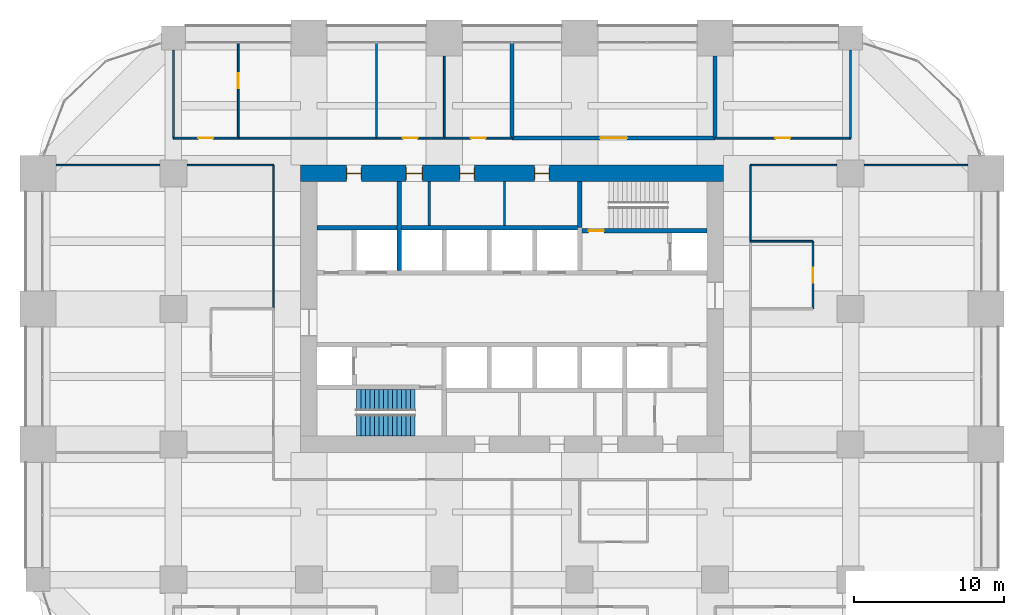
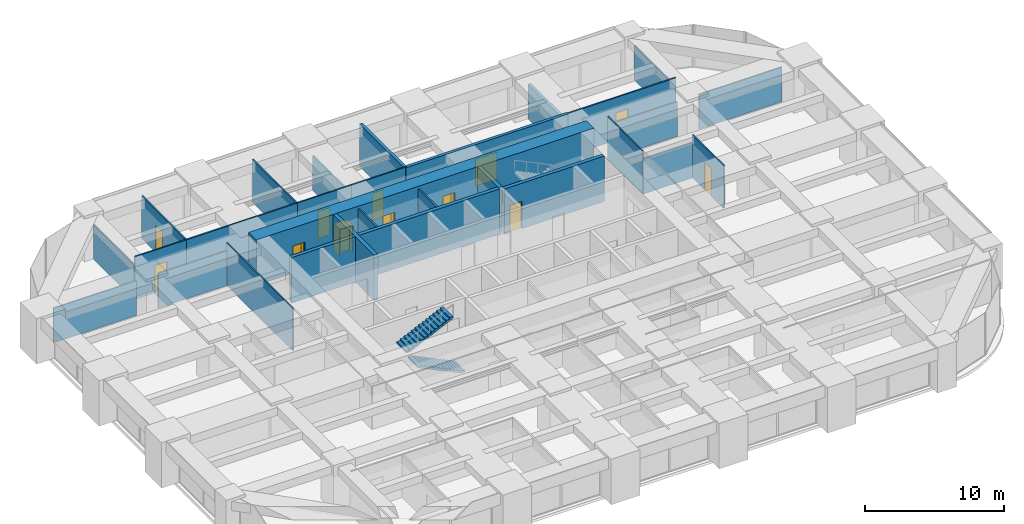
# One storey, part 40 of 42: 28 walls, 12 doors, 2 stair flights, 12 openings, 1 element without a shape of its own.
"""IFC4 building model written with IfcOpenShell, lengths in metres."""

from ifc_helpers import new_model, si_unit, direction, frame, frame_2d, origin, place, context, subcontext, project, spatial, polyline, rectangle, outline, extrude, material, layer, layer_set, type_object, element, fill, aggregate, save


model = new_model("IFC4")

# Units and contexts
model_context = context("Model", 3, precision=1e-05, world=origin(), true_north=direction((0.0, 1.0)))
body_context = subcontext(model_context, "Body", "Model", "MODEL_VIEW")
ifc_project = project(units=[si_unit("LENGTHUNIT", "METRE"), si_unit("AREAUNIT", "SQUARE_METRE"), si_unit("VOLUMEUNIT", "CUBIC_METRE"), si_unit("PLANEANGLEUNIT", "RADIAN"), si_unit("MASSUNIT", "GRAM", prefix="KILO")], contexts=[model_context])

# Site, building, storey
site_placement = place(None, origin())
site = spatial("IfcSite", under=ifc_project, at=site_placement, CompositionType="ELEMENT")
building_placement = place(site_placement, origin())
building = spatial("IfcBuilding", under=site, at=building_placement, Name="Zorevar Civic Tower", CompositionType="ELEMENT")
storey_placement = place(building_placement, frame((0.0, 0.0, 149.0)))
storey = spatial("IfcBuildingStorey", under=building, at=storey_placement, Name="L36", CompositionType="ELEMENT", Elevation=149.0)

# Wall, opening, door
ifc_material_1 = material(Name="Twin-stud acoustic wall, gypsum board")
ifc_layer_1 = layer(ifc_material_1, 0.25)
ifc_layer_set_1 = layer_set([ifc_layer_1], Name="Acoustic wall 250")
wall_type_1 = type_object("IfcWallType", Name="Acoustic wall 250", PredefinedType="PARTITIONING", material=ifc_layer_set_1)
wall_1_placement = place(storey_placement, frame((31.5, 38.35009765625, 0.0), z_axis=(0.0, 0.0, 1.0), x_axis=(1.0, 0.0, 0.0)))
wall_1 = element("IfcWall", 1, at=wall_1_placement, inside=storey, type_object=wall_type_1, Name="Acoustic wall 250 L36", PredefinedType="PARTITIONING", context=body_context, shape_type="SweptSolid", body=[
    extrude(rectangle(XDim=13.5, YDim=0.25, at=frame_2d((6.75, 0.0))), origin(), (0.0, 0.0, 1.0), 3.75),
])
opening_1_placement = place(wall_1_placement, frame((5.85009765625, 0.0, 0.0)))
opening_1 = element("IfcOpeningElement", 2, at=opening_1_placement, cuts=wall_1, Name="Opening L36.24", PredefinedType="OPENING", context=body_context, shape_type="SweptSolid", body=[
    extrude(rectangle(XDim=1.800048828125, YDim=2.39990234375, at=frame_2d((0.89990234375, 1.199951171875))), frame((0.0, 0.135009765625, 0.0), z_axis=(0.0, -1.0, 0.0), x_axis=(1.0, 0.0, 0.0)), (0.0, 0.0, 1.0), 0.27001953125),
])
ifc_material_2 = material(Name="Steel door set", Category="steel")
door_type_1 = type_object("IfcDoorType", Name="Door D2 1800x2400", OperationType="DOUBLE_DOOR_SINGLE_SWING", PredefinedType="DOOR", material=ifc_material_2)
door_1_placement = place(opening_1_placement, origin())
door_1 = element("IfcDoor", 3, at=door_1_placement, inside=storey, type_object=door_type_1, Name="Door L36 D1", OperationType="DOUBLE_DOOR_SINGLE_SWING", OverallHeight=2.39990234375, OverallWidth=1.800048828125, PredefinedType="DOOR", context=body_context, shape_type="SweptSolid", body=[
    extrude(rectangle(XDim=1.800048828125, YDim=2.39990234375, at=frame_2d((0.89990234375, 1.199951171875))), frame((0.0, 0.02490234375, 0.0), z_axis=(0.0, -1.0, 0.0), x_axis=(1.0, 0.0, 0.0)), (0.0, 0.0, 1.0), 0.050048828125),
])
fill(opening_1, door_1)

# Walls
wall_2_placement = place(storey_placement, frame((31.5, 38.35009765625, 0.0), z_axis=(0.0, 0.0, 1.0), x_axis=(0.0, 1.0, 0.0)))
element("IfcWall", 4, at=wall_2_placement, inside=storey, type_object=wall_type_1, Name="Acoustic wall 250 L36", PredefinedType="PARTITIONING", context=body_context, shape_type="SweptSolid", body=[
    extrude(rectangle(XDim=6.33984375, YDim=0.25, at=frame_2d((3.169921875, 0.0))), origin(), (0.0, 0.0, 1.0), 3.75),
])
wall_3_placement = place(storey_placement, frame((45.0, 38.35009765625, 0.0), z_axis=(0.0, 0.0, 1.0), x_axis=(0.0, 1.0, 0.0)))
element("IfcWall", 5, at=wall_3_placement, inside=storey, type_object=wall_type_1, Name="Acoustic wall 250 L36", PredefinedType="PARTITIONING", context=body_context, shape_type="SweptSolid", body=[
    extrude(rectangle(XDim=5.449951171875, YDim=0.25, at=frame_2d((2.72509765625, 0.0))), origin(), (0.0, 0.0, 1.0), 3.050048828125),
])

# Wall, openings, doors
ifc_material_3 = material(Name="Concrete C50/60", Category="concrete")
ifc_layer_2 = layer(ifc_material_3, 1.10009765625)
ifc_layer_set_2 = layer_set([ifc_layer_2], Name="Core wall 1100")
wall_type_2 = type_object("IfcWallType", Name="Core wall 1100", PredefinedType="SHEAR", material=ifc_layer_set_2)
wall_4_placement = place(storey_placement, frame((45.550048828125, 36.0, 0.0), z_axis=(0.0, 0.0, 1.0), x_axis=(-1.0, 0.0, 0.0)))
wall_4 = element("IfcWall", 6, at=wall_4_placement, inside=storey, type_object=wall_type_2, Name="Core wall N L36", PredefinedType="SHEAR", context=body_context, shape_type="SweptSolid", body=[
    extrude(rectangle(XDim=28.10009765625, YDim=1.10009765625, at=frame_2d((14.050048828125, 0.0))), origin(), (0.0, 0.0, 1.0), 4.0),
])
opening_2_placement = place(wall_4_placement, frame((11.550048828125, 0.0, 0.0)))
opening_2 = element("IfcOpeningElement", 7, at=opening_2_placement, cuts=wall_4, Name="Opening L36.07", PredefinedType="OPENING", context=body_context, shape_type="SweptSolid", body=[
    extrude(rectangle(XDim=1.0, YDim=2.39990234375, at=frame_2d((0.5, 1.199951171875))), frame((0.0, 0.56005859375, 0.0), z_axis=(0.0, -1.0, 0.0), x_axis=(1.0, 0.0, 0.0)), (0.0, 0.0, 1.0), 1.1201171875),
])
opening_3_placement = place(wall_4_placement, frame((16.550048828125, 0.0, 0.0)))
opening_3 = element("IfcOpeningElement", 8, at=opening_3_placement, cuts=wall_4, Name="Opening L36.08", PredefinedType="OPENING", context=body_context, shape_type="SweptSolid", body=[
    extrude(rectangle(XDim=1.0, YDim=2.39990234375, at=frame_2d((0.5, 1.199951171875))), frame((0.0, 0.56005859375, 0.0), z_axis=(0.0, -1.0, 0.0), x_axis=(1.0, 0.0, 0.0)), (0.0, 0.0, 1.0), 1.1201171875),
])
opening_4_placement = place(wall_4_placement, frame((20.0, 0.0, 0.0)))
opening_4 = element("IfcOpeningElement", 9, at=opening_4_placement, cuts=wall_4, Name="Opening L36.09", PredefinedType="OPENING", context=body_context, shape_type="SweptSolid", body=[
    extrude(rectangle(XDim=1.10009765625, YDim=2.39990234375, at=frame_2d((0.550048828125, 1.199951171875))), frame((0.0, 0.56005859375, 0.0), z_axis=(0.0, -1.0, 0.0), x_axis=(1.0, 0.0, 0.0)), (0.0, 0.0, 1.0), 1.1201171875),
])
opening_5_placement = place(wall_4_placement, frame((24.050048828125, 0.0, 0.0)))
opening_5 = element("IfcOpeningElement", 10, at=opening_5_placement, cuts=wall_4, Name="Opening L36.10", PredefinedType="OPENING", context=body_context, shape_type="SweptSolid", body=[
    extrude(rectangle(XDim=1.0, YDim=2.39990234375, at=frame_2d((0.5, 1.199951171875))), frame((0.0, 0.56005859375, 0.0), z_axis=(0.0, -1.0, 0.0), x_axis=(1.0, 0.0, 0.0)), (0.0, 0.0, 1.0), 1.1201171875),
])
ifc_material_4 = material(Name="Timber door set", Category="wood")
door_type_2 = type_object("IfcDoorType", Name="Door D1 1000x2400", OperationType="SINGLE_SWING_LEFT", PredefinedType="DOOR", material=ifc_material_4)
door_2_placement = place(opening_2_placement, origin())
door_2 = element("IfcDoor", 11, at=door_2_placement, inside=storey, type_object=door_type_2, Name="Door L36 06", OperationType="SINGLE_SWING_LEFT", OverallHeight=2.39990234375, OverallWidth=1.0, PredefinedType="DOOR", context=body_context, shape_type="SweptSolid", body=[
    extrude(rectangle(XDim=1.0, YDim=2.39990234375, at=frame_2d((0.5, 1.199951171875))), frame((0.0, 0.02490234375, 0.0), z_axis=(0.0, -1.0, 0.0), x_axis=(1.0, 0.0, 0.0)), (0.0, 0.0, 1.0), 0.050048828125),
    extrude(rectangle(XDim=0.04, YDim=2.39990234375, at=frame_2d((0.02001953125, 1.199951171875))), frame((0.0, 0.39990234375, 0.0), z_axis=(0.0, -1.0, 0.0), x_axis=(1.0, 0.0, 0.0)), (0.0, 0.0, 1.0), 0.800048828125),
    extrude(rectangle(XDim=0.04, YDim=2.39990234375, at=frame_2d((0.97998046875, 1.199951171875))), frame((0.0, 0.39990234375, 0.0), z_axis=(0.0, -1.0, 0.0), x_axis=(1.0, 0.0, 0.0)), (0.0, 0.0, 1.0), 0.800048828125),
    extrude(rectangle(XDim=1.0, YDim=0.04, at=frame_2d((0.5, 2.3798828125))), frame((0.0, 0.39990234375, 0.0), z_axis=(0.0, -1.0, 0.0), x_axis=(1.0, 0.0, 0.0)), (0.0, 0.0, 1.0), 0.800048828125),
])
fill(opening_2, door_2)
door_3_placement = place(opening_3_placement, origin())
door_3 = element("IfcDoor", 12, at=door_3_placement, inside=storey, type_object=door_type_2, Name="Door L36 07", OperationType="SINGLE_SWING_RIGHT", OverallHeight=2.39990234375, OverallWidth=1.0, PredefinedType="DOOR", context=body_context, shape_type="SweptSolid", body=[
    extrude(rectangle(XDim=1.0, YDim=2.39990234375, at=frame_2d((0.5, 1.199951171875))), frame((0.0, 0.02490234375, 0.0), z_axis=(0.0, -1.0, 0.0), x_axis=(1.0, 0.0, 0.0)), (0.0, 0.0, 1.0), 0.050048828125),
    extrude(rectangle(XDim=0.04, YDim=2.39990234375, at=frame_2d((0.02001953125, 1.199951171875))), frame((0.0, 0.39990234375, 0.0), z_axis=(0.0, -1.0, 0.0), x_axis=(1.0, 0.0, 0.0)), (0.0, 0.0, 1.0), 0.800048828125),
    extrude(rectangle(XDim=0.04, YDim=2.39990234375, at=frame_2d((0.97998046875, 1.199951171875))), frame((0.0, 0.39990234375, 0.0), z_axis=(0.0, -1.0, 0.0), x_axis=(1.0, 0.0, 0.0)), (0.0, 0.0, 1.0), 0.800048828125),
    extrude(rectangle(XDim=1.0, YDim=0.04, at=frame_2d((0.5, 2.3798828125))), frame((0.0, 0.39990234375, 0.0), z_axis=(0.0, -1.0, 0.0), x_axis=(1.0, 0.0, 0.0)), (0.0, 0.0, 1.0), 0.800048828125),
])
fill(opening_3, door_3)
door_4_placement = place(opening_5_placement, origin())
door_4 = element("IfcDoor", 13, at=door_4_placement, inside=storey, type_object=door_type_2, Name="Door L36 09", OperationType="SINGLE_SWING_RIGHT", OverallHeight=2.39990234375, OverallWidth=1.0, PredefinedType="DOOR", context=body_context, shape_type="SweptSolid", body=[
    extrude(rectangle(XDim=1.0, YDim=2.39990234375, at=frame_2d((0.5, 1.199951171875))), frame((0.0, 0.02490234375, 0.0), z_axis=(0.0, -1.0, 0.0), x_axis=(1.0, 0.0, 0.0)), (0.0, 0.0, 1.0), 0.050048828125),
    extrude(rectangle(XDim=0.04, YDim=2.39990234375, at=frame_2d((0.02001953125, 1.199951171875))), frame((0.0, 0.39990234375, 0.0), z_axis=(0.0, -1.0, 0.0), x_axis=(1.0, 0.0, 0.0)), (0.0, 0.0, 1.0), 0.800048828125),
    extrude(rectangle(XDim=0.04, YDim=2.39990234375, at=frame_2d((0.97998046875, 1.199951171875))), frame((0.0, 0.39990234375, 0.0), z_axis=(0.0, -1.0, 0.0), x_axis=(1.0, 0.0, 0.0)), (0.0, 0.0, 1.0), 0.800048828125),
    extrude(rectangle(XDim=1.0, YDim=0.04, at=frame_2d((0.5, 2.3798828125))), frame((0.0, 0.39990234375, 0.0), z_axis=(0.0, -1.0, 0.0), x_axis=(1.0, 0.0, 0.0)), (0.0, 0.0, 1.0), 0.800048828125),
])
fill(opening_5, door_4)
ifc_material_5 = material(Name="Timber door set", Category="wood")
door_type_3 = type_object("IfcDoorType", Name="Door D5 1100x2400", OperationType="SINGLE_SWING_LEFT", PredefinedType="DOOR", material=ifc_material_5)
door_5_placement = place(opening_4_placement, origin())
door_5 = element("IfcDoor", 14, at=door_5_placement, inside=storey, type_object=door_type_3, Name="Door L36 08", OperationType="SINGLE_SWING_RIGHT", OverallHeight=2.39990234375, OverallWidth=1.10009765625, PredefinedType="DOOR", context=body_context, shape_type="SweptSolid", body=[
    extrude(rectangle(XDim=1.10009765625, YDim=2.39990234375, at=frame_2d((0.550048828125, 1.199951171875))), frame((0.0, 0.02490234375, 0.0), z_axis=(0.0, -1.0, 0.0), x_axis=(1.0, 0.0, 0.0)), (0.0, 0.0, 1.0), 0.050048828125),
    extrude(rectangle(XDim=0.04, YDim=2.39990234375, at=frame_2d((0.02001953125, 1.199951171875))), frame((0.0, 0.43994140625, 0.0), z_axis=(0.0, -1.0, 0.0), x_axis=(1.0, 0.0, 0.0)), (0.0, 0.0, 1.0), 0.880126953125),
    extrude(rectangle(XDim=0.04, YDim=2.39990234375, at=frame_2d((1.080078125, 1.199951171875))), frame((0.0, 0.43994140625, 0.0), z_axis=(0.0, -1.0, 0.0), x_axis=(1.0, 0.0, 0.0)), (0.0, 0.0, 1.0), 0.880126953125),
    extrude(rectangle(XDim=1.10009765625, YDim=0.04, at=frame_2d((0.550048828125, 2.3798828125))), frame((0.0, 0.43994140625, 0.0), z_axis=(0.0, -1.0, 0.0), x_axis=(1.0, 0.0, 0.0)), (0.0, 0.0, 1.0), 0.880126953125),
])
fill(opening_4, door_5)

# Walls
ifc_material_6 = material(Name="Laminated glass in black aluminium frame", Category="aluminium")
ifc_layer_3 = layer(ifc_material_6, 0.10009765625)
ifc_layer_set_3 = layer_set([ifc_layer_3], Name="Glazed partition 100")
wall_type_3 = type_object("IfcWallType", Name="Glazed partition 100", PredefinedType="PARTITIONING", material=ifc_layer_set_3)
wall_5_placement = place(storey_placement, frame((1.199951171875, 36.550048828125, 0.0), z_axis=(0.0, 0.0, 1.0), x_axis=(1.0, 0.0, 0.0)))
element("IfcWall", 15, at=wall_5_placement, inside=storey, type_object=wall_type_3, Name="Glazed partition 100 L36", PredefinedType="PARTITIONING", context=body_context, shape_type="SweptSolid", body=[
    extrude(rectangle(XDim=6.900146484375, YDim=0.10009765625, at=frame_2d((3.4501953125, 0.0))), origin(), (0.0, 0.0, 1.0), 3.050048828125),
])
for number, where, z_axis, x_axis, name in (
    (16, (9.89990234375, 36.550048828125, 0.0), (0.0, 0.0, 1.0), (1.0, 0.0, 0.0), "Glazed partition 100 L36"),
    (17, (47.35009765625, 36.550048828125, 0.0), (0.0, 0.0, 1.0), (1.0, 0.0, 0.0), "Glazed partition 100 L36"),
):
    element("IfcWall", number, at=place(storey_placement, frame(where, z_axis=z_axis, x_axis=x_axis)), inside=storey, type_object=wall_type_3, Name=name, PredefinedType="PARTITIONING", context=body_context, shape_type="SweptSolid", body=[
        extrude(rectangle(XDim=5.75, YDim=0.10009765625, at=frame_2d((2.875, 0.0))), origin(), (0.0, 0.0, 1.0), 3.050048828125),
    ])
wall_6_placement = place(storey_placement, frame((54.89990234375, 36.550048828125, 0.0), z_axis=(0.0, 0.0, 1.0), x_axis=(1.0, 0.0, 0.0)))
element("IfcWall", 18, at=wall_6_placement, inside=storey, type_object=wall_type_3, Name="Glazed partition 100 L36", PredefinedType="PARTITIONING", context=body_context, shape_type="SweptSolid", body=[
    extrude(rectangle(XDim=6.900146484375, YDim=0.10009765625, at=frame_2d((3.4501953125, 0.0))), origin(), (0.0, 0.0, 1.0), 3.050048828125),
])
wall_7_placement = place(storey_placement, frame((15.64990234375, 27.0, 0.0), z_axis=(0.0, 0.0, 1.0), x_axis=(0.0, 1.0, 0.0)))
element("IfcWall", 19, at=wall_7_placement, inside=storey, type_object=wall_type_3, Name="Glazed partition 100 L36", PredefinedType="PARTITIONING", context=body_context, shape_type="SweptSolid", body=[
    extrude(rectangle(XDim=9.550048828125, YDim=0.10009765625, at=frame_2d((4.77490234375, 0.0))), origin(), (0.0, 0.0, 1.0), 3.75),
])
wall_8_placement = place(storey_placement, frame((47.35009765625, 31.5, 0.0), z_axis=(0.0, 0.0, 1.0), x_axis=(0.0, 1.0, 0.0)))
element("IfcWall", 20, at=wall_8_placement, inside=storey, type_object=wall_type_3, Name="Glazed partition 100 L36", PredefinedType="PARTITIONING", context=body_context, shape_type="SweptSolid", body=[
    extrude(rectangle(XDim=5.050048828125, YDim=0.10009765625, at=frame_2d((2.52490234375, 0.0))), origin(), (0.0, 0.0, 1.0), 3.75),
])

# Wall, opening, door
ifc_material_7 = material(Name="Concrete C40/50", Category="concrete")
ifc_layer_4 = layer(ifc_material_7, 0.300048828125)
ifc_layer_set_4 = layer_set([ifc_layer_4], Name="Inner core wall 300")
wall_type_4 = type_object("IfcWallType", Name="Inner core wall 300", PredefinedType="SHEAR", material=ifc_layer_set_4)
wall_9_placement = place(storey_placement, frame((36.14990234375, 32.199951171875, 0.0), z_axis=(0.0, 0.0, 1.0), x_axis=(1.0, 0.0, 0.0)))
wall_9 = element("IfcWall", 21, at=wall_9_placement, inside=storey, type_object=wall_type_4, Name="Inner core wall N00 L36", PredefinedType="SHEAR", context=body_context, shape_type="SweptSolid", body=[
    extrude(rectangle(XDim=8.300048828125, YDim=0.300048828125, at=frame_2d((4.14990234375, 0.0))), origin(), (0.0, 0.0, 1.0), 4.0),
])
opening_6_placement = place(wall_9_placement, frame((0.449951171875, 0.0, 0.0)))
opening_6 = element("IfcOpeningElement", 22, at=opening_6_placement, cuts=wall_9, Name="Opening L36.12", PredefinedType="OPENING", context=body_context, shape_type="SweptSolid", body=[
    extrude(rectangle(XDim=1.0, YDim=2.39990234375, at=frame_2d((0.5, 1.199951171875))), frame((0.0, 0.159912109375, 0.0), z_axis=(0.0, -1.0, 0.0), x_axis=(1.0, 0.0, 0.0)), (0.0, 0.0, 1.0), 0.320068359375),
])
ifc_material_8 = material(Name="Steel door set", Category="steel")
door_type_4 = type_object("IfcDoorType", Name="Fire door FD1 1000x2400", OperationType="SINGLE_SWING_LEFT", PredefinedType="DOOR", material=ifc_material_8)
door_6_placement = place(opening_6_placement, origin())
door_6 = element("IfcDoor", 23, at=door_6_placement, inside=storey, type_object=door_type_4, Name="Door L36 11", OperationType="SINGLE_SWING_RIGHT", OverallHeight=2.39990234375, OverallWidth=1.0, PredefinedType="DOOR", context=body_context, shape_type="SweptSolid", body=[
    extrude(rectangle(XDim=1.0, YDim=2.39990234375, at=frame_2d((0.5, 1.199951171875))), frame((0.0, 0.030029296875, 0.0), z_axis=(0.0, -1.0, 0.0), x_axis=(1.0, 0.0, 0.0)), (0.0, 0.0, 1.0), 0.06005859375),
])
fill(opening_6, door_6)

# Walls
wall_10_placement = place(storey_placement, frame((36.0, 32.39990234375, 0.0), z_axis=(0.0, 0.0, 1.0), x_axis=(0.0, 1.0, 0.0)))
element("IfcWall", 24, at=wall_10_placement, inside=storey, type_object=wall_type_4, Name="Inner core wall N01 L36", PredefinedType="SHEAR", context=body_context, shape_type="SweptSolid", body=[
    extrude(rectangle(XDim=3.050048828125, YDim=0.300048828125, at=frame_2d((1.52490234375, 0.0))), origin(), (0.0, 0.0, 1.0), 4.0),
])
wall_11_placement = place(storey_placement, frame((18.550048828125, 32.39990234375, 0.0), z_axis=(0.0, 0.0, 1.0), x_axis=(1.0, 0.0, 0.0)))
element("IfcWall", 25, at=wall_11_placement, inside=storey, type_object=wall_type_4, Name="Inner core wall N04 L36", PredefinedType="SHEAR", context=body_context, shape_type="SweptSolid", body=[
    extrude(rectangle(XDim=17.300048828125, YDim=0.300048828125, at=frame_2d((8.64990234375, 0.0))), origin(), (0.0, 0.0, 1.0), 4.0),
])
wall_12_placement = place(storey_placement, frame((24.0, 29.550048828125, 0.0), z_axis=(0.0, 0.0, 1.0), x_axis=(0.0, 1.0, 0.0)))
element("IfcWall", 26, at=wall_12_placement, inside=storey, type_object=wall_type_4, Name="Inner core wall N08 L36", PredefinedType="SHEAR", context=body_context, shape_type="SweptSolid", body=[
    extrude(rectangle(XDim=5.89990234375, YDim=0.300048828125, at=frame_2d((2.949951171875, 0.0))), origin(), (0.0, 0.0, 1.0), 4.0),
])
ifc_material_9 = material(Name="Gypsum board on steel studs", Category="steel")
ifc_layer_5 = layer(ifc_material_9, 0.1201171875)
ifc_layer_set_5 = layer_set([ifc_layer_5], Name="Partition 120")
wall_type_5 = type_object("IfcWallType", Name="Partition 120", PredefinedType="PARTITIONING", material=ifc_layer_set_5)
wall_13_placement = place(storey_placement, frame((47.35009765625, 31.5, 0.0), z_axis=(0.0, 0.0, 1.0), x_axis=(1.0, 0.0, 0.0)))
element("IfcWall", 27, at=wall_13_placement, inside=storey, type_object=wall_type_5, Name="Partition 120 L36", PredefinedType="PARTITIONING", context=body_context, shape_type="SweptSolid", body=[
    extrude(rectangle(XDim=4.14990234375, YDim=0.1201171875, at=frame_2d((2.074951171875, 0.0))), origin(), (0.0, 0.0, 1.0), 3.10009765625),
])

# Wall, opening, door
wall_14_placement = place(storey_placement, frame((9.0, 38.35009765625, 0.0), z_axis=(0.0, 0.0, 1.0), x_axis=(1.0, 0.0, 0.0)))
wall_14 = element("IfcWall", 28, at=wall_14_placement, inside=storey, type_object=wall_type_5, Name="Partition 120 L36", PredefinedType="PARTITIONING", context=body_context, shape_type="SweptSolid", body=[
    extrude(rectangle(XDim=4.300048828125, YDim=0.1201171875, at=frame_2d((2.14990234375, 0.0))), origin(), (0.0, 0.0, 1.0), 3.75),
])
opening_7_placement = place(wall_14_placement, frame((1.64990234375, 0.0, 0.0)))
opening_7 = element("IfcOpeningElement", 29, at=opening_7_placement, cuts=wall_14, Name="Opening L36.25", PredefinedType="OPENING", context=body_context, shape_type="SweptSolid", body=[
    extrude(rectangle(XDim=1.0, YDim=2.39990234375, at=frame_2d((0.5, 1.199951171875))), frame((0.0, 0.070068359375, 0.0), z_axis=(0.0, -1.0, 0.0), x_axis=(1.0, 0.0, 0.0)), (0.0, 0.0, 1.0), 0.14013671875),
])
door_7_placement = place(opening_7_placement, origin())
door_7 = element("IfcDoor", 30, at=door_7_placement, inside=storey, type_object=door_type_2, Name="Door L36 D1", OperationType="SINGLE_SWING_LEFT", OverallHeight=2.39990234375, OverallWidth=1.0, PredefinedType="DOOR", context=body_context, shape_type="SweptSolid", body=[
    extrude(rectangle(XDim=1.0, YDim=2.39990234375, at=frame_2d((0.5, 1.199951171875))), frame((0.0, 0.02490234375, 0.0), z_axis=(0.0, -1.0, 0.0), x_axis=(1.0, 0.0, 0.0)), (0.0, 0.0, 1.0), 0.050048828125),
])
fill(opening_7, door_7)

# Wall
wall_15_placement = place(storey_placement, frame((13.300048828125, 38.35009765625, 0.0), z_axis=(0.0, 0.0, 1.0), x_axis=(1.0, 0.0, 0.0)))
element("IfcWall", 31, at=wall_15_placement, inside=storey, type_object=wall_type_5, Name="Partition 120 L36", PredefinedType="PARTITIONING", context=body_context, shape_type="SweptSolid", body=[
    extrude(rectangle(XDim=9.199951171875, YDim=0.1201171875, at=frame_2d((4.60009765625, 0.0))), origin(), (0.0, 0.0, 1.0), 3.75),
])

# Wall, opening, door
wall_16_placement = place(storey_placement, frame((22.5, 38.35009765625, 0.0), z_axis=(0.0, 0.0, 1.0), x_axis=(1.0, 0.0, 0.0)))
wall_16 = element("IfcWall", 32, at=wall_16_placement, inside=storey, type_object=wall_type_5, Name="Partition 120 L36", PredefinedType="PARTITIONING", context=body_context, shape_type="SweptSolid", body=[
    extrude(rectangle(XDim=4.5, YDim=0.1201171875, at=frame_2d((2.25, 0.0))), origin(), (0.0, 0.0, 1.0), 3.75),
])
opening_8_placement = place(wall_16_placement, frame((1.75, 0.0, 0.0)))
opening_8 = element("IfcOpeningElement", 33, at=opening_8_placement, cuts=wall_16, Name="Opening L36.26", PredefinedType="OPENING", context=body_context, shape_type="SweptSolid", body=[
    extrude(rectangle(XDim=1.0, YDim=2.39990234375, at=frame_2d((0.5, 1.199951171875))), frame((0.0, 0.070068359375, 0.0), z_axis=(0.0, -1.0, 0.0), x_axis=(1.0, 0.0, 0.0)), (0.0, 0.0, 1.0), 0.14013671875),
])
door_8_placement = place(opening_8_placement, origin())
door_8 = element("IfcDoor", 34, at=door_8_placement, inside=storey, type_object=door_type_2, Name="Door L36 D1", OperationType="SINGLE_SWING_LEFT", OverallHeight=2.39990234375, OverallWidth=1.0, PredefinedType="DOOR", context=body_context, shape_type="SweptSolid", body=[
    extrude(rectangle(XDim=1.0, YDim=2.39990234375, at=frame_2d((0.5, 1.199951171875))), frame((0.0, 0.02490234375, 0.0), z_axis=(0.0, -1.0, 0.0), x_axis=(1.0, 0.0, 0.0)), (0.0, 0.0, 1.0), 0.050048828125),
])
fill(opening_8, door_8)

wall_17_placement = place(storey_placement, frame((27.0, 38.35009765625, 0.0), z_axis=(0.0, 0.0, 1.0), x_axis=(1.0, 0.0, 0.0)))
wall_17 = element("IfcWall", 35, at=wall_17_placement, inside=storey, type_object=wall_type_5, Name="Partition 120 L36", PredefinedType="PARTITIONING", context=body_context, shape_type="SweptSolid", body=[
    extrude(rectangle(XDim=4.5, YDim=0.1201171875, at=frame_2d((2.25, 0.0))), origin(), (0.0, 0.0, 1.0), 3.75),
])
opening_9_placement = place(wall_17_placement, frame((1.75, 0.0, 0.0)))
opening_9 = element("IfcOpeningElement", 36, at=opening_9_placement, cuts=wall_17, Name="Opening L36.27", PredefinedType="OPENING", context=body_context, shape_type="SweptSolid", body=[
    extrude(rectangle(XDim=1.0, YDim=2.39990234375, at=frame_2d((0.5, 1.199951171875))), frame((0.0, 0.070068359375, 0.0), z_axis=(0.0, -1.0, 0.0), x_axis=(1.0, 0.0, 0.0)), (0.0, 0.0, 1.0), 0.14013671875),
])
door_9_placement = place(opening_9_placement, origin())
door_9 = element("IfcDoor", 37, at=door_9_placement, inside=storey, type_object=door_type_2, Name="Door L36 D1", OperationType="SINGLE_SWING_LEFT", OverallHeight=2.39990234375, OverallWidth=1.0, PredefinedType="DOOR", context=body_context, shape_type="SweptSolid", body=[
    extrude(rectangle(XDim=1.0, YDim=2.39990234375, at=frame_2d((0.5, 1.199951171875))), frame((0.0, 0.02490234375, 0.0), z_axis=(0.0, -1.0, 0.0), x_axis=(1.0, 0.0, 0.0)), (0.0, 0.0, 1.0), 0.050048828125),
])
fill(opening_9, door_9)

wall_18_placement = place(storey_placement, frame((45.0, 38.35009765625, 0.0), z_axis=(0.0, 0.0, 1.0), x_axis=(1.0, 0.0, 0.0)))
wall_18 = element("IfcWall", 38, at=wall_18_placement, inside=storey, type_object=wall_type_5, Name="Partition 120 L36", PredefinedType="PARTITIONING", context=body_context, shape_type="SweptSolid", body=[
    extrude(rectangle(XDim=9.0, YDim=0.1201171875, at=frame_2d((4.5, 0.0))), origin(), (0.0, 0.0, 1.0), 3.75),
])
opening_10_placement = place(wall_18_placement, frame((4.0, 0.0, 0.0)))
opening_10 = element("IfcOpeningElement", 39, at=opening_10_placement, cuts=wall_18, Name="Opening L36.28", PredefinedType="OPENING", context=body_context, shape_type="SweptSolid", body=[
    extrude(rectangle(XDim=1.0, YDim=2.39990234375, at=frame_2d((0.5, 1.199951171875))), frame((0.0, 0.070068359375, 0.0), z_axis=(0.0, -1.0, 0.0), x_axis=(1.0, 0.0, 0.0)), (0.0, 0.0, 1.0), 0.14013671875),
])
door_10_placement = place(opening_10_placement, origin())
door_10 = element("IfcDoor", 40, at=door_10_placement, inside=storey, type_object=door_type_2, Name="Door L36 D1", OperationType="SINGLE_SWING_RIGHT", OverallHeight=2.39990234375, OverallWidth=1.0, PredefinedType="DOOR", context=body_context, shape_type="SweptSolid", body=[
    extrude(rectangle(XDim=1.0, YDim=2.39990234375, at=frame_2d((0.5, 1.199951171875))), frame((0.0, 0.02490234375, 0.0), z_axis=(0.0, -1.0, 0.0), x_axis=(1.0, 0.0, 0.0)), (0.0, 0.0, 1.0), 0.050048828125),
])
fill(opening_10, door_10)

# Wall
wall_19_placement = place(storey_placement, frame((9.0, 38.35009765625, 0.0), z_axis=(0.0, 0.0, 1.0), x_axis=(0.0, 1.0, 0.0)))
element("IfcWall", 41, at=wall_19_placement, inside=storey, type_object=wall_type_5, Name="Partition 120 L36", PredefinedType="PARTITIONING", context=body_context, shape_type="SweptSolid", body=[
    extrude(rectangle(XDim=5.849853515625, YDim=0.1201171875, at=frame_2d((2.9248046875, 0.0))), origin(), (0.0, 0.0, 1.0), 3.050048828125),
])

# Wall, opening, door
wall_20_placement = place(storey_placement, frame((13.300048828125, 38.35009765625, 0.0), z_axis=(0.0, 0.0, 1.0), x_axis=(0.0, 1.0, 0.0)))
wall_20 = element("IfcWall", 42, at=wall_20_placement, inside=storey, type_object=wall_type_5, Name="Partition 120 L36", PredefinedType="PARTITIONING", context=body_context, shape_type="SweptSolid", body=[
    extrude(rectangle(XDim=6.33984375, YDim=0.1201171875, at=frame_2d((3.169921875, 0.0))), origin(), (0.0, 0.0, 1.0), 3.75),
])
opening_11_placement = place(wall_20_placement, frame((3.324951171875, 0.0, 0.0)))
opening_11 = element("IfcOpeningElement", 43, at=opening_11_placement, cuts=wall_20, Name="Opening L36.30", PredefinedType="OPENING", context=body_context, shape_type="SweptSolid", body=[
    extrude(rectangle(XDim=1.0, YDim=2.39990234375, at=frame_2d((0.5, 1.199951171875))), frame((0.0, 0.070068359375, 0.0), z_axis=(0.0, -1.0, 0.0), x_axis=(1.0, 0.0, 0.0)), (0.0, 0.0, 1.0), 0.14013671875),
])
door_11_placement = place(opening_11_placement, origin())
door_11 = element("IfcDoor", 44, at=door_11_placement, inside=storey, type_object=door_type_2, Name="Door L36 D1", OperationType="SINGLE_SWING_RIGHT", OverallHeight=2.39990234375, OverallWidth=1.0, PredefinedType="DOOR", context=body_context, shape_type="SweptSolid", body=[
    extrude(rectangle(XDim=1.0, YDim=2.39990234375, at=frame_2d((0.5, 1.199951171875))), frame((0.0, 0.02490234375, 0.0), z_axis=(0.0, -1.0, 0.0), x_axis=(1.0, 0.0, 0.0)), (0.0, 0.0, 1.0), 0.050048828125),
])
fill(opening_11, door_11)

# Walls
wall_21_placement = place(storey_placement, frame((22.5, 38.35009765625, 0.0), z_axis=(0.0, 0.0, 1.0), x_axis=(0.0, 1.0, 0.0)))
element("IfcWall", 45, at=wall_21_placement, inside=storey, type_object=wall_type_5, Name="Partition 120 L36", PredefinedType="PARTITIONING", context=body_context, shape_type="SweptSolid", body=[
    extrude(rectangle(XDim=6.33984375, YDim=0.1201171875, at=frame_2d((3.169921875, 0.0))), origin(), (0.0, 0.0, 1.0), 3.75),
])
wall_22_placement = place(storey_placement, frame((27.0, 38.35009765625, 0.0), z_axis=(0.0, 0.0, 1.0), x_axis=(0.0, 1.0, 0.0)))
element("IfcWall", 46, at=wall_22_placement, inside=storey, type_object=wall_type_5, Name="Partition 120 L36", PredefinedType="PARTITIONING", context=body_context, shape_type="SweptSolid", body=[
    extrude(rectangle(XDim=5.449951171875, YDim=0.1201171875, at=frame_2d((2.72509765625, 0.0))), origin(), (0.0, 0.0, 1.0), 3.050048828125),
])

# Wall, opening, door
wall_23_placement = place(storey_placement, frame((51.5, 27.0, 0.0), z_axis=(0.0, 0.0, 1.0), x_axis=(0.0, 1.0, 0.0)))
wall_23 = element("IfcWall", 47, at=wall_23_placement, inside=storey, type_object=wall_type_5, Name="Partition 120 L36", PredefinedType="PARTITIONING", context=body_context, shape_type="SweptSolid", body=[
    extrude(rectangle(XDim=4.5, YDim=0.1201171875, at=frame_2d((2.25, 0.0))), origin(), (0.0, 0.0, 1.0), 3.75),
])
opening_12_placement = place(wall_23_placement, frame((1.75, 0.0, 0.0)))
opening_12 = element("IfcOpeningElement", 48, at=opening_12_placement, cuts=wall_23, Name="Opening L36.34", PredefinedType="OPENING", context=body_context, shape_type="SweptSolid", body=[
    extrude(rectangle(XDim=1.0, YDim=2.39990234375, at=frame_2d((0.5, 1.199951171875))), frame((0.0, 0.070068359375, 0.0), z_axis=(0.0, -1.0, 0.0), x_axis=(1.0, 0.0, 0.0)), (0.0, 0.0, 1.0), 0.14013671875),
])
door_12_placement = place(opening_12_placement, origin())
door_12 = element("IfcDoor", 49, at=door_12_placement, inside=storey, type_object=door_type_2, Name="Door L36 D1", OperationType="SINGLE_SWING_RIGHT", OverallHeight=2.39990234375, OverallWidth=1.0, PredefinedType="DOOR", context=body_context, shape_type="SweptSolid", body=[
    extrude(rectangle(XDim=1.0, YDim=2.39990234375, at=frame_2d((0.5, 1.199951171875))), frame((0.0, 0.02490234375, 0.0), z_axis=(0.0, -1.0, 0.0), x_axis=(1.0, 0.0, 0.0)), (0.0, 0.0, 1.0), 0.050048828125),
])
fill(opening_12, door_12)

# Walls
wall_24_placement = place(storey_placement, frame((54.0, 38.35009765625, 0.0), z_axis=(0.0, 0.0, 1.0), x_axis=(0.0, 1.0, 0.0)))
element("IfcWall", 50, at=wall_24_placement, inside=storey, type_object=wall_type_5, Name="Partition 120 L36", PredefinedType="PARTITIONING", context=body_context, shape_type="SweptSolid", body=[
    extrude(rectangle(XDim=5.849853515625, YDim=0.1201171875, at=frame_2d((2.9248046875, 0.0))), origin(), (0.0, 0.0, 1.0), 3.050048828125),
])
ifc_material_10 = material(Name="Gypsum board on steel studs, moisture resistant", Category="steel")
ifc_layer_6 = layer(ifc_material_10, 0.14990234375)
ifc_layer_set_6 = layer_set([ifc_layer_6], Name="WC partition 150")
wall_type_6 = type_object("IfcWallType", Name="WC partition 150", PredefinedType="PARTITIONING", material=ifc_layer_set_6)
for number, where, z_axis, x_axis, name in (
    (51, (31.0, 32.550048828125, 0.0), (0.0, 0.0, 1.0), (0.0, 1.0, 0.0), "WC partition L36"),
    (52, (26.0, 32.550048828125, 0.0), (0.0, 0.0, 1.0), (0.0, 1.0, 0.0), "WC partition L36"),
):
    element("IfcWall", number, at=place(storey_placement, frame(where, z_axis=z_axis, x_axis=x_axis)), inside=storey, type_object=wall_type_6, Name=name, PredefinedType="PARTITIONING", context=body_context, shape_type="SweptSolid", body=[
        extrude(rectangle(XDim=2.89990234375, YDim=0.14990234375, at=frame_2d((1.449951171875, 0.0))), origin(), (0.0, 0.0, 1.0), 3.75),
    ])

# Stair, stair flights
ifc_material_11 = material(Name="Precast concrete C40/50", Category="concrete")
stair_type = type_object("IfcStairType", Name="Stair ST 28R", PredefinedType="HALF_TURN_STAIR", material=ifc_material_11)
stair_placement = place(storey_placement, origin())
stair = element("IfcStair", 53, at=stair_placement, inside=storey, type_object=stair_type, Name="Stair ST1 L36", PredefinedType="HALF_TURN_STAIR")
ifc_material_12 = material(Name="Precast concrete C40/50", Category="concrete")
stair_flight_type = type_object("IfcStairFlightType", Name="Stair flight", PredefinedType="STRAIGHT", material=ifc_material_12)
stair_flight_1_placement = place(storey_placement, frame((25.050048828125, 19.262451171875, 0.0), z_axis=(0.0, 0.0, 1.0), x_axis=(-1.0, 0.0, 0.0)))
stair_flight_1 = element("IfcStairFlight", 54, at=stair_flight_1_placement, type_object=stair_flight_type, Name="ST1 flight 1", NumberOfRisers=14, NumberOfTreads=13, PredefinedType="STRAIGHT", RiserHeight=0.142857143, TreadLength=0.3, context=body_context, shape_type="SweptSolid", body=[
    extrude(outline(polyline([(0.0, 0.0), (0.0, 0.142822265625), (0.300048828125, 0.142822265625), (0.300048828125, 0.28564453125), (0.60009765625, 0.28564453125), (0.60009765625, 0.428466796875), (0.89990234375, 0.428466796875), (0.89990234375, 0.571533203125), (1.199951171875, 0.571533203125), (1.199951171875, 0.71435546875), (1.5, 0.71435546875), (1.5, 0.857177734375), (1.800048828125, 0.857177734375), (1.800048828125, 1.0), (2.10009765625, 1.0), (2.10009765625, 1.142822265625), (2.39990234375, 1.142822265625), (2.39990234375, 1.28564453125), (2.699951171875, 1.28564453125), (2.699951171875, 1.428466796875), (3.0, 1.428466796875), (3.0, 1.571533203125), (3.300048828125, 1.571533203125), (3.300048828125, 1.71435546875), (3.60009765625, 1.71435546875), (3.60009765625, 1.857177734375), (3.89990234375, 1.857177734375), (3.89990234375, 2.0), (3.89990234375, 1.691162109375), (0.3486328125, 0.0), (0.0, 0.0)])), frame((0.0, 0.71240234375, 0.0), z_axis=(0.0, -1.0, 0.0), x_axis=(1.0, 0.0, 0.0)), (0.0, 0.0, 1.0), 1.425048828125),
])
stair_flight_2_placement = place(storey_placement, frame((21.14990234375, 20.9375, 2.0), z_axis=(0.0, 0.0, 1.0), x_axis=(1.0, 0.0, 0.0)))
stair_flight_2 = element("IfcStairFlight", 55, at=stair_flight_2_placement, type_object=stair_flight_type, Name="ST1 flight 2", NumberOfRisers=14, NumberOfTreads=13, PredefinedType="STRAIGHT", RiserHeight=0.142857143, TreadLength=0.3, context=body_context, shape_type="SweptSolid", body=[
    extrude(outline(polyline([(0.0, 0.0), (0.0, 0.142822265625), (0.300048828125, 0.142822265625), (0.300048828125, 0.28564453125), (0.60009765625, 0.28564453125), (0.60009765625, 0.428466796875), (0.89990234375, 0.428466796875), (0.89990234375, 0.571533203125), (1.199951171875, 0.571533203125), (1.199951171875, 0.71435546875), (1.5, 0.71435546875), (1.5, 0.857177734375), (1.800048828125, 0.857177734375), (1.800048828125, 1.0), (2.10009765625, 1.0), (2.10009765625, 1.142822265625), (2.39990234375, 1.142822265625), (2.39990234375, 1.28564453125), (2.699951171875, 1.28564453125), (2.699951171875, 1.428466796875), (3.0, 1.428466796875), (3.0, 1.571533203125), (3.300048828125, 1.571533203125), (3.300048828125, 1.71435546875), (3.60009765625, 1.71435546875), (3.60009765625, 1.857177734375), (3.89990234375, 1.857177734375), (3.89990234375, 2.0), (3.89990234375, 1.691162109375), (0.3486328125, 0.0), (0.0, 0.0)])), frame((0.0, 0.71240234375, 0.0), z_axis=(0.0, -1.0, 0.0), x_axis=(1.0, 0.0, 0.0)), (0.0, 0.0, 1.0), 1.425048828125),
])
aggregate(stair, [stair_flight_1, stair_flight_2])

save(model, "model.ifc")
